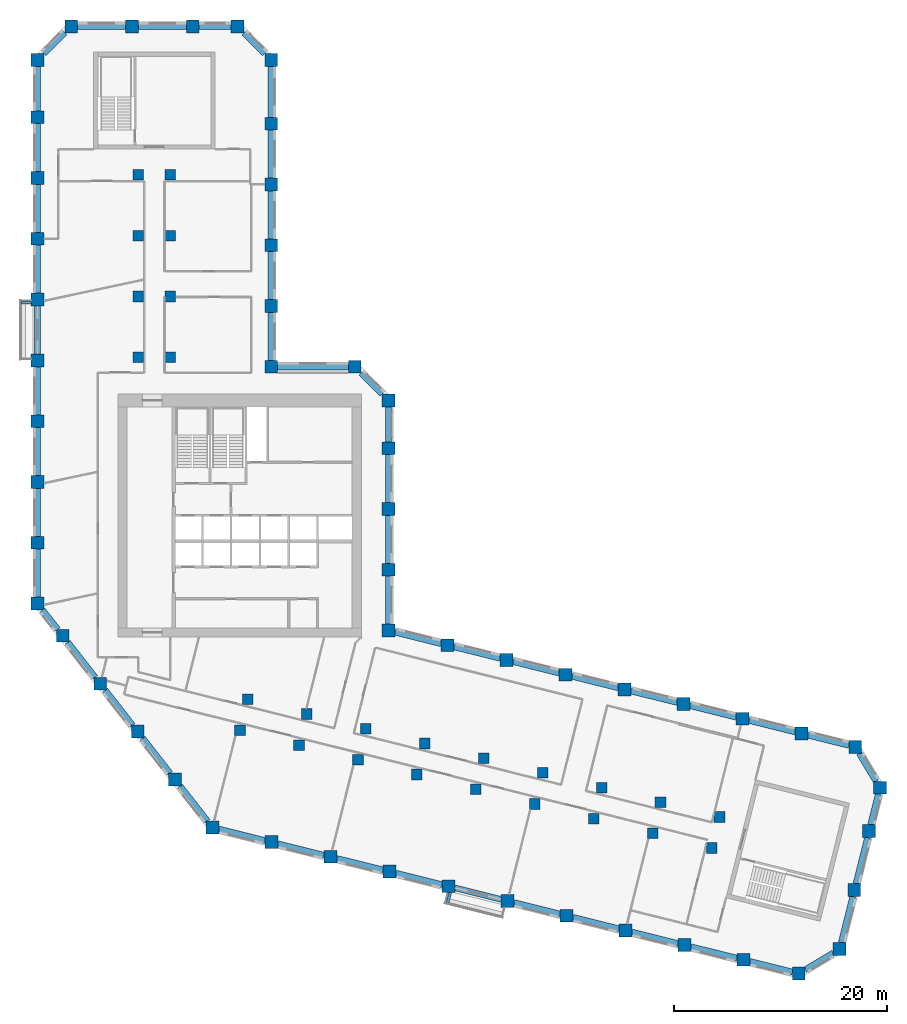
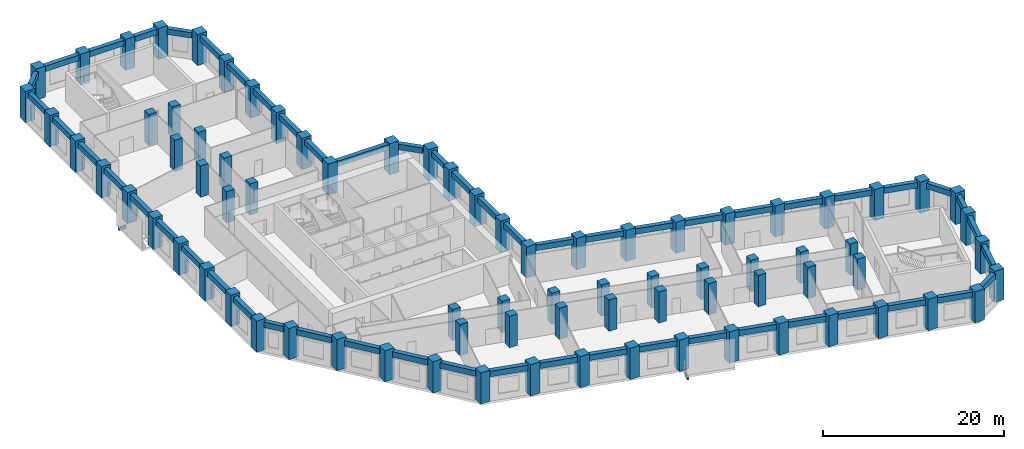
# One storey, part 1 of 10: 79 columns, 55 beams.
"""IFC4 building model written with IfcOpenShell, lengths in metres."""

from ifc_helpers import new_model, si_unit, direction, frame, origin, origin_2d, place, context, subcontext, project, spatial, rectangle, extrude, material, material_profile, profile_set, type_object, element, save


model = new_model("IFC4")

# Units and contexts
model_context = context("Model", 3, precision=1e-05, world=origin(), true_north=direction((0.0, 1.0)))
body_context = subcontext(model_context, "Body", "Model", "MODEL_VIEW")
ifc_project = project(units=[si_unit("LENGTHUNIT", "METRE"), si_unit("AREAUNIT", "SQUARE_METRE"), si_unit("VOLUMEUNIT", "CUBIC_METRE"), si_unit("PLANEANGLEUNIT", "RADIAN"), si_unit("MASSUNIT", "GRAM", prefix="KILO")], contexts=[model_context])

# Site, building, storey
site_placement = place(None, origin())
site = spatial("IfcSite", under=ifc_project, at=site_placement, CompositionType="ELEMENT")
building_placement = place(site_placement, origin())
building = spatial("IfcBuilding", under=site, at=building_placement, Name="Meshkara Civic Tower", CompositionType="ELEMENT")
storey_placement = place(building_placement, frame((0.0, 0.0, 182.39990234375)))
storey = spatial("IfcBuildingStorey", under=building, at=storey_placement, Name="L41", CompositionType="ELEMENT", Elevation=182.39990234375)

# Columns
ifc_material_1 = material(Name="Concrete C70", Category="concrete")
ifc_material_profile_1 = material_profile(ifc_material_1, rectangle(XDim=1.0, YDim=1.0, at=origin_2d()))
ifc_profile_set_1 = profile_set([ifc_material_profile_1], Name="Concrete C70")
column_type_1 = type_object("IfcColumnType", Name="Interior column RC 1000x1000 C70", PredefinedType="COLUMN", material=ifc_profile_set_1)
for number, where, z_axis, x_axis, name in (
    (1, (9.89990234375, 40.35009765625, 0.0), (0.0, 0.0, 1.0), (1.0, 0.0, 0.0), "Column SA1-04 L41"),
    (2, (9.89990234375, 46.050048828125, 0.0), (0.0, 0.0, 1.0), (1.0, 0.0, 0.0), "Column SA1-05 L41"),
    (3, (9.89990234375, 51.75, 0.0), (0.0, 0.0, 1.0), (1.0, 0.0, 0.0), "Column SA1-06 L41"),
    (4, (9.89990234375, 57.449951171875, 0.0), (0.0, 0.0, 1.0), (1.0, 0.0, 0.0), "Column SA1-07 L41"),
    (5, (12.89990234375, 40.35009765625, 0.0), (0.0, 0.0, 1.0), (1.0, 0.0, 0.0), "Column SA2-04 L41"),
    (6, (12.89990234375, 46.050048828125, 0.0), (0.0, 0.0, 1.0), (1.0, 0.0, 0.0), "Column SA2-05 L41"),
    (7, (12.89990234375, 51.75, 0.0), (0.0, 0.0, 1.0), (1.0, 0.0, 0.0), "Column SA2-06 L41"),
    (8, (12.89990234375, 57.449951171875, 0.0), (0.0, 0.0, 1.0), (1.0, 0.0, 0.0), "Column SA2-07 L41"),
    (9, (19.424072265625, 5.360107421875, 0.0), (0.0, 0.0, 1.0), (1.0, 0.0, 0.0), "Column SB1-00 L41"),
    (10, (24.9541015625, 3.98095703125, 0.0), (0.0, 0.0, 1.0), (1.0, 0.0, 0.0), "Column SB1-01 L41"),
    (11, (30.485107421875, 2.60205078125, 0.0), (0.0, 0.0, 1.0), (1.0, 0.0, 0.0), "Column SB1-02 L41"),
    (12, (36.01611328125, 1.222900390625, 0.0), (0.0, 0.0, 1.0), (1.0, 0.0, 0.0), "Column SB1-03 L41"),
    (13, (41.5458984375, -0.156005859375, 0.0), (0.0, 0.0, 1.0), (1.0, 0.0, 0.0), "Column SB1-04 L41"),
    (14, (47.076904296875, -1.534912109375, 0.0), (0.0, 0.0, 1.0), (1.0, 0.0, 0.0), "Column SB1-05 L41"),
    (15, (52.60791015625, -2.9140625, 0.0), (0.0, 0.0, 1.0), (1.0, 0.0, 0.0), "Column SB1-06 L41"),
    (16, (58.138916015625, -4.2919921875, 0.0), (0.0, 0.0, 1.0), (1.0, 0.0, 0.0), "Column SB1-07 L41"),
    (17, (63.6689453125, -5.6708984375, 0.0), (0.0, 0.0, 1.0), (1.0, 0.0, 0.0), "Column SB1-08 L41"),
    (18, (20.14892578125, 8.27099609375, 0.0), (0.0, 0.0, 1.0), (1.0, 0.0, 0.0), "Column SB2-00 L41"),
    (19, (25.679931640625, 6.89208984375, 0.0), (0.0, 0.0, 1.0), (1.0, 0.0, 0.0), "Column SB2-01 L41"),
    (20, (31.2109375, 5.512939453125, 0.0), (0.0, 0.0, 1.0), (1.0, 0.0, 0.0), "Column SB2-02 L41"),
    (21, (36.741943359375, 4.134033203125, 0.0), (0.0, 0.0, 1.0), (1.0, 0.0, 0.0), "Column SB2-03 L41"),
    (22, (42.27197265625, 2.7548828125, 0.0), (0.0, 0.0, 1.0), (1.0, 0.0, 0.0), "Column SB2-04 L41"),
    (23, (47.802978515625, 1.3759765625, 0.0), (0.0, 0.0, 1.0), (1.0, 0.0, 0.0), "Column SB2-05 L41"),
    (24, (53.333984375, -0.0029296875, 0.0), (0.0, 0.0, 1.0), (1.0, 0.0, 0.0), "Column SB2-06 L41"),
    (25, (58.864013671875, -1.382080078125, 0.0), (0.0, 0.0, 1.0), (1.0, 0.0, 0.0), "Column SB2-07 L41"),
    (26, (64.39501953125, -2.760986328125, 0.0), (0.0, 0.0, 1.0), (1.0, 0.0, 0.0), "Column SB2-08 L41"),
):
    element("IfcColumn", number, at=place(storey_placement, frame(where, z_axis=z_axis, x_axis=x_axis)), inside=storey, type_object=column_type_1, Name=name, PredefinedType="COLUMN", context=body_context, shape_type="SweptSolid", body=[
        extrude(rectangle(XDim=1.0, YDim=1.0, at=origin_2d()), origin(), (0.0, 0.0, 1.0), 4.2001953125),
    ])
ifc_material_2 = material(Name="Concrete C70", Category="concrete")
ifc_material_profile_2 = material_profile(ifc_material_2, rectangle(XDim=1.199951171875, YDim=1.199951171875, at=origin_2d()))
ifc_profile_set_2 = profile_set([ifc_material_profile_2], Name="Concrete C70")
column_type_2 = type_object("IfcColumnType", Name="Perimeter column RC 1200x1200 C70", PredefinedType="COLUMN", material=ifc_profile_set_2)
for number, where, z_axis, x_axis, name in (
    (27, (33.35009765625, 14.718994140625, 0.0), (0.0, 0.0, 1.0), (1.0, 0.0, 0.0), "Column HE00 L41"),
    (28, (33.35009765625, 20.4189453125, 0.0), (0.0, 0.0, 1.0), (1.0, 0.0, 0.0), "Column HE01 L41"),
    (29, (33.35009765625, 26.118896484375, 0.0), (0.0, 0.0, 1.0), (1.0, 0.0, 0.0), "Column HE02 L41"),
    (30, (33.35009765625, 31.819091796875, 0.0), (0.0, 0.0, 1.0), (1.0, 0.0, 0.0), "Column HE03 L41"),
    (31, (33.35009765625, 36.2939453125, 0.0), (0.0, 0.0, 1.0), (1.0, 0.0, 0.0), "Column HEE L41"),
    (32, (30.194091796875, 39.449951171875, 0.0), (0.0, 0.0, 1.0), (1.0, 0.0, 0.0), "Column HCeE L41"),
    (33, (22.35009765625, 39.449951171875, 0.0), (0.0, 0.0, 1.0), (1.0, 0.0, 0.0), "Column HN00 L41"),
    (34, (22.35009765625, 45.14990234375, 0.0), (0.0, 0.0, 1.0), (1.0, 0.0, 0.0), "Column AE01 L41"),
    (35, (22.35009765625, 50.85009765625, 0.0), (0.0, 0.0, 1.0), (1.0, 0.0, 0.0), "Column AE02 L41"),
    (36, (22.35009765625, 56.550048828125, 0.0), (0.0, 0.0, 1.0), (1.0, 0.0, 0.0), "Column AE03 L41"),
    (37, (22.35009765625, 62.25, 0.0), (0.0, 0.0, 1.0), (1.0, 0.0, 0.0), "Column AE04 L41"),
    (38, (22.35009765625, 68.214111328125, 0.0), (0.0, 0.0, 1.0), (1.0, 0.0, 0.0), "Column AEEP2 L41"),
    (39, (19.194091796875, 71.3701171875, 0.0), (0.0, 0.0, 1.0), (1.0, 0.0, 0.0), "Column ATiEP2 L41"),
    (40, (3.60595703125, 71.3701171875, 0.0), (0.0, 0.0, 1.0), (1.0, 0.0, 0.0), "Column AT00-P2 L41"),
    (41, (9.305908203125, 71.3701171875, 0.0), (0.0, 0.0, 1.0), (1.0, 0.0, 0.0), "Column AT01-P2 L41"),
    (42, (15.006103515625, 71.3701171875, 0.0), (0.0, 0.0, 1.0), (1.0, 0.0, 0.0), "Column AT02-P2 L41"),
    (43, (0.449951171875, 68.214111328125, 0.0), (0.0, 0.0, 1.0), (1.0, 0.0, 0.0), "Column ATo00-P2 L41"),
    (44, (0.449951171875, 17.2548828125, 0.0), (0.0, 0.0, 1.0), (1.0, 0.0, 0.0), "Column AW00 L41"),
    (45, (0.449951171875, 22.955078125, 0.0), (0.0, 0.0, 1.0), (1.0, 0.0, 0.0), "Column AW01 L41"),
    (46, (0.449951171875, 28.655029296875, 0.0), (0.0, 0.0, 1.0), (1.0, 0.0, 0.0), "Column AW02 L41"),
    (47, (0.449951171875, 34.35498046875, 0.0), (0.0, 0.0, 1.0), (1.0, 0.0, 0.0), "Column AW03 L41"),
    (48, (0.449951171875, 40.054931640625, 0.0), (0.0, 0.0, 1.0), (1.0, 0.0, 0.0), "Column AW04 L41"),
    (49, (0.449951171875, 45.7548828125, 0.0), (0.0, 0.0, 1.0), (1.0, 0.0, 0.0), "Column AW05 L41"),
    (50, (0.449951171875, 51.455078125, 0.0), (0.0, 0.0, 1.0), (1.0, 0.0, 0.0), "Column AW06 L41"),
    (51, (0.449951171875, 57.155029296875, 0.0), (0.0, 0.0, 1.0), (1.0, 0.0, 0.0), "Column AW07 L41"),
    (52, (0.449951171875, 62.85498046875, 0.0), (0.0, 0.0, 1.0), (1.0, 0.0, 0.0), "Column AW08 L41"),
    (53, (16.85107421875, -3.738037109375, 0.0), (0.0, 0.0, 1.0), (1.0, 0.0, 0.0), "Column BOW00 L41"),
    (54, (13.342041015625, 0.75390625, 0.0), (0.0, 0.0, 1.0), (1.0, 0.0, 0.0), "Column BOW01 L41"),
    (55, (9.8330078125, 5.2451171875, 0.0), (0.0, 0.0, 1.0), (1.0, 0.0, 0.0), "Column BOW02 L41"),
    (56, (6.322998046875, 9.737060546875, 0.0), (0.0, 0.0, 1.0), (1.0, 0.0, 0.0), "Column BOW03 L41"),
    (57, (2.81396484375, 14.22900390625, 0.0), (0.0, 0.0, 1.0), (1.0, 0.0, 0.0), "Column BOW04 L41"),
    (58, (22.382080078125, -5.116943359375, 0.0), (0.0, 0.0, 1.0), (1.0, 0.0, 0.0), "Column BS01 L41"),
    (59, (27.912109375, -6.49609375, 0.0), (0.0, 0.0, 1.0), (1.0, 0.0, 0.0), "Column BS02 L41"),
    (60, (33.443115234375, -7.875, 0.0), (0.0, 0.0, 1.0), (1.0, 0.0, 0.0), "Column BS03 L41"),
    (61, (38.97412109375, -9.2529296875, 0.0), (0.0, 0.0, 1.0), (1.0, 0.0, 0.0), "Column BS04-P1 L41"),
    (62, (44.5048828125, -10.632080078125, 0.0), (0.0, 0.0, 1.0), (1.0, 0.0, 0.0), "Column BS05 L41"),
    (63, (50.034912109375, -12.010986328125, 0.0), (0.0, 0.0, 1.0), (1.0, 0.0, 0.0), "Column BS06 L41"),
    (64, (55.56591796875, -13.389892578125, 0.0), (0.0, 0.0, 1.0), (1.0, 0.0, 0.0), "Column BS07 L41"),
    (65, (61.096923828125, -14.76904296875, 0.0), (0.0, 0.0, 1.0), (1.0, 0.0, 0.0), "Column BS08 L41"),
    (66, (66.626953125, -16.14794921875, 0.0), (0.0, 0.0, 1.0), (1.0, 0.0, 0.0), "Column BS09 L41"),
    (67, (71.826904296875, -17.444091796875, 0.0), (0.0, 0.0, 1.0), (1.0, 0.0, 0.0), "Column BSEP2 L41"),
    (68, (75.653076171875, -15.14501953125, 0.0), (0.0, 0.0, 1.0), (1.0, 0.0, 0.0), "Column BToEP2 L41"),
    (69, (77.031982421875, -9.614013671875, 0.0), (0.0, 0.0, 1.0), (1.0, 0.0, 0.0), "Column BT01-P2 L41"),
    (70, (78.410888671875, -4.083984375, 0.0), (0.0, 0.0, 1.0), (1.0, 0.0, 0.0), "Column BT02-P2 L41"),
    (71, (79.424072265625, -0.02099609375, 0.0), (0.0, 0.0, 1.0), (1.0, 0.0, 0.0), "Column BTEP2 L41"),
    (72, (77.125, 3.803955078125, 0.0), (0.0, 0.0, 1.0), (1.0, 0.0, 0.0), "Column BTi00-P2 L41"),
    (73, (38.881103515625, 13.340087890625, 0.0), (0.0, 0.0, 1.0), (1.0, 0.0, 0.0), "Column BN01 L41"),
    (74, (44.410888671875, 11.9609375, 0.0), (0.0, 0.0, 1.0), (1.0, 0.0, 0.0), "Column BN02 L41"),
    (75, (49.94189453125, 10.58203125, 0.0), (0.0, 0.0, 1.0), (1.0, 0.0, 0.0), "Column BN03 L41"),
    (76, (55.472900390625, 9.202880859375, 0.0), (0.0, 0.0, 1.0), (1.0, 0.0, 0.0), "Column BN04 L41"),
    (77, (61.0029296875, 7.823974609375, 0.0), (0.0, 0.0, 1.0), (1.0, 0.0, 0.0), "Column BN05 L41"),
    (78, (66.533935546875, 6.445068359375, 0.0), (0.0, 0.0, 1.0), (1.0, 0.0, 0.0), "Column BN06 L41"),
    (79, (72.06494140625, 5.06591796875, 0.0), (0.0, 0.0, 1.0), (1.0, 0.0, 0.0), "Column BN07 L41"),
):
    element("IfcColumn", number, at=place(storey_placement, frame(where, z_axis=z_axis, x_axis=x_axis)), inside=storey, type_object=column_type_2, Name=name, PredefinedType="COLUMN", context=body_context, shape_type="SweptSolid", body=[
        extrude(rectangle(XDim=1.199951171875, YDim=1.199951171875, at=origin_2d()), origin(), (0.0, 0.0, 1.0), 4.2001953125),
    ])

# Beams
ifc_material_3 = material(Name="Concrete C50", Category="concrete")
ifc_material_profile_3 = material_profile(ifc_material_3, rectangle(XDim=0.25, YDim=0.39990234375, at=origin_2d()))
ifc_profile_set_3 = profile_set([ifc_material_profile_3], Name="Concrete C50")
beam_type_1 = type_object("IfcBeamType", Name="Balcony bracket beam RC 250x400 C50", PredefinedType="BEAM", material=ifc_profile_set_3)
beam_1_placement = place(storey_placement, frame((-0.14501953125, 45.455078125, -0.5), z_axis=(-1.0, 0.0, 0.0), x_axis=(0.0, -1.0, 0.0)))
element("IfcBeam", 80, at=beam_1_placement, inside=storey, type_object=beam_type_1, Name="Balcony bracket beam", PredefinedType="BEAM", context=body_context, shape_type="SweptSolid", body=[
    extrude(rectangle(XDim=0.25, YDim=0.39990234375, at=origin_2d()), origin(), (0.0, 0.0, 1.0), 0.955078125),
])
beam_2_placement = place(storey_placement, frame((39.135009765625, -9.847900390625, -0.5), z_axis=(-0.242138377463, -0.970241725633, 0.0), x_axis=(0.970241725633, -0.242138377463, 0.0)))
element("IfcBeam", 81, at=beam_2_placement, inside=storey, type_object=beam_type_1, Name="Balcony bracket beam", PredefinedType="BEAM", context=body_context, shape_type="SweptSolid", body=[
    extrude(rectangle(XDim=0.25, YDim=0.39990234375, at=origin_2d()), origin(), (0.0, 0.0, 1.0), 1.01220703125),
])
ifc_material_4 = material(Name="Concrete C60", Category="concrete")
ifc_material_profile_4 = material_profile(ifc_material_4, rectangle(XDim=0.550048828125, YDim=0.75, at=origin_2d()))
ifc_profile_set_4 = profile_set([ifc_material_profile_4], Name="Concrete C60")
beam_type_2 = type_object("IfcBeamType", Name="Spandrel beam RC 550x750 C60", PredefinedType="BEAM", material=ifc_profile_set_4)
for number, where, z_axis, x_axis, name in (
    (82, (71.469970703125, 5.21435546875, 3.525146484375), (-0.970296390995, 0.241919229543, 0.0), (-0.241919229543, -0.970296390995, 0.0), "Spandrel beam BN06-BN07"),
    (83, (65.93896484375, 6.593505859375, 3.525146484375), (-0.970309199754, 0.241867850018, 0.0), (-0.241867850018, -0.970309199754, 0.0), "Spandrel beam BN05-BN06"),
):
    element("IfcBeam", number, at=place(storey_placement, frame(where, z_axis=z_axis, x_axis=x_axis)), inside=storey, type_object=beam_type_2, Name=name, PredefinedType="BEAM", context=body_context, shape_type="SweptSolid", body=[
        extrude(rectangle(XDim=0.550048828125, YDim=0.75, at=origin_2d()), origin(), (0.0, 0.0, 1.0), 4.4736328125),
    ])
beam_3_placement = place(storey_placement, frame((60.407958984375, 7.972412109375, 3.525146484375), z_axis=(-0.970283611566, 0.241970479865, 0.0), x_axis=(-0.241970479865, -0.970283611566, 0.0)))
element("IfcBeam", 84, at=beam_3_placement, inside=storey, type_object=beam_type_2, Name="Spandrel beam BN04-BN05", PredefinedType="BEAM", context=body_context, shape_type="SweptSolid", body=[
    extrude(rectangle(XDim=0.550048828125, YDim=0.75, at=origin_2d()), origin(), (0.0, 0.0, 1.0), 4.47265625),
])
for number, where, z_axis, x_axis, name in (
    (85, (54.8779296875, 9.351318359375, 3.525146484375), (-0.970296390995, 0.241919229543, 0.0), (-0.241919229543, -0.970296390995, 0.0), "Spandrel beam BN03-BN04"),
    (86, (49.346923828125, 10.73046875, 3.525146484375), (-0.970309199754, 0.241867850018, 0.0), (-0.241867850018, -0.970309199754, 0.0), "Spandrel beam BN02-BN03"),
):
    element("IfcBeam", number, at=place(storey_placement, frame(where, z_axis=z_axis, x_axis=x_axis)), inside=storey, type_object=beam_type_2, Name=name, PredefinedType="BEAM", context=body_context, shape_type="SweptSolid", body=[
        extrude(rectangle(XDim=0.550048828125, YDim=0.75, at=origin_2d()), origin(), (0.0, 0.0, 1.0), 4.4736328125),
    ])
beam_4_placement = place(storey_placement, frame((43.81591796875, 12.109375, 3.525146484375), z_axis=(-0.970283611566, 0.241970479865, 0.0), x_axis=(-0.241970479865, -0.970283611566, 0.0)))
element("IfcBeam", 87, at=beam_4_placement, inside=storey, type_object=beam_type_2, Name="Spandrel beam BN01-BN02", PredefinedType="BEAM", context=body_context, shape_type="SweptSolid", body=[
    extrude(rectangle(XDim=0.550048828125, YDim=0.75, at=origin_2d()), origin(), (0.0, 0.0, 1.0), 4.47265625),
])
beam_5_placement = place(storey_placement, frame((38.285888671875, 13.48828125, 3.525146484375), z_axis=(-0.970296390995, 0.241919229543, 0.0), x_axis=(-0.241919229543, -0.970296390995, 0.0)))
element("IfcBeam", 88, at=beam_5_placement, inside=storey, type_object=beam_type_2, Name="Spandrel beam BN01-HE00", PredefinedType="BEAM", context=body_context, shape_type="SweptSolid", body=[
    extrude(rectangle(XDim=0.550048828125, YDim=0.75, at=origin_2d()), origin(), (0.0, 0.0, 1.0), 4.4736328125),
])
for number, where, z_axis, x_axis, name in (
    (89, (33.35009765625, 15.31396484375, 3.525146484375), (0.0, 1.0, 0.0), (-1.0, 0.0, 0.0), "Spandrel beam HE00-HE01"),
    (90, (33.35009765625, 21.013916015625, 3.525146484375), (0.0, 1.0, 0.0), (-1.0, 0.0, 0.0), "Spandrel beam HE01-HE02"),
    (91, (33.35009765625, 26.714111328125, 3.525146484375), (0.0, 1.0, 0.0), (-1.0, 0.0, 0.0), "Spandrel beam HE02-HE03"),
):
    element("IfcBeam", number, at=place(storey_placement, frame(where, z_axis=z_axis, x_axis=x_axis)), inside=storey, type_object=beam_type_2, Name=name, PredefinedType="BEAM", context=body_context, shape_type="SweptSolid", body=[
        extrude(rectangle(XDim=0.550048828125, YDim=0.75, at=origin_2d()), origin(), (0.0, 0.0, 1.0), 4.510009765625),
    ])
beam_6_placement = place(storey_placement, frame((33.35009765625, 32.4140625, 3.525146484375), z_axis=(0.0, 1.0, 0.0), x_axis=(-1.0, 0.0, 0.0)))
element("IfcBeam", 92, at=beam_6_placement, inside=storey, type_object=beam_type_2, Name="Spandrel beam HE03-HEE", PredefinedType="BEAM", context=body_context, shape_type="SweptSolid", body=[
    extrude(rectangle(XDim=0.550048828125, YDim=0.75, at=origin_2d()), origin(), (0.0, 0.0, 1.0), 3.284912109375),
])
beam_7_placement = place(storey_placement, frame((32.75341796875, 36.890380859375, 3.525146484375), z_axis=(-0.707062808252, 0.707150751387, 0.0), x_axis=(-0.707150751387, -0.707062808252, 0.0)))
element("IfcBeam", 93, at=beam_7_placement, inside=storey, type_object=beam_type_2, Name="Spandrel beam HCeE-HEE", PredefinedType="BEAM", context=body_context, shape_type="SweptSolid", body=[
    extrude(rectangle(XDim=0.550048828125, YDim=0.75, at=origin_2d()), origin(), (0.0, 0.0, 1.0), 2.776123046875),
])
beam_8_placement = place(storey_placement, frame((29.59912109375, 39.449951171875, 3.525146484375), z_axis=(-1.0, 0.0, 0.0), x_axis=(0.0, -1.0, 0.0)))
element("IfcBeam", 94, at=beam_8_placement, inside=storey, type_object=beam_type_2, Name="Spandrel beam HCeE-HN00", PredefinedType="BEAM", context=body_context, shape_type="SweptSolid", body=[
    extrude(rectangle(XDim=0.550048828125, YDim=0.75, at=origin_2d()), origin(), (0.0, 0.0, 1.0), 6.654052734375),
])
beam_9_placement = place(storey_placement, frame((22.35009765625, 40.044921875, 3.525146484375), z_axis=(0.0, 1.0, 0.0), x_axis=(-1.0, 0.0, 0.0)))
element("IfcBeam", 95, at=beam_9_placement, inside=storey, type_object=beam_type_2, Name="Spandrel beam AE01-HN00", PredefinedType="BEAM", context=body_context, shape_type="SweptSolid", body=[
    extrude(rectangle(XDim=0.550048828125, YDim=0.75, at=origin_2d()), origin(), (0.0, 0.0, 1.0), 4.510009765625),
])
beam_10_placement = place(storey_placement, frame((22.35009765625, 45.7451171875, 3.525146484375), z_axis=(0.0, 1.0, 0.0), x_axis=(-1.0, 0.0, 0.0)))
element("IfcBeam", 96, at=beam_10_placement, inside=storey, type_object=beam_type_2, Name="Spandrel beam AE01-AE02", PredefinedType="BEAM", context=body_context, shape_type="SweptSolid", body=[
    extrude(rectangle(XDim=0.550048828125, YDim=0.75, at=origin_2d()), origin(), (0.0, 0.0, 1.0), 4.509765625),
])
for number, where, z_axis, x_axis, name in (
    (97, (22.35009765625, 51.445068359375, 3.525146484375), (0.0, 1.0, 0.0), (-1.0, 0.0, 0.0), "Spandrel beam AE02-AE03"),
    (98, (22.35009765625, 57.14501953125, 3.525146484375), (0.0, 1.0, 0.0), (-1.0, 0.0, 0.0), "Spandrel beam AE03-AE04"),
):
    element("IfcBeam", number, at=place(storey_placement, frame(where, z_axis=z_axis, x_axis=x_axis)), inside=storey, type_object=beam_type_2, Name=name, PredefinedType="BEAM", context=body_context, shape_type="SweptSolid", body=[
        extrude(rectangle(XDim=0.550048828125, YDim=0.75, at=origin_2d()), origin(), (0.0, 0.0, 1.0), 4.510009765625),
    ])
beam_11_placement = place(storey_placement, frame((22.35009765625, 62.844970703125, 3.525146484375), z_axis=(0.0, 1.0, 0.0), x_axis=(-1.0, 0.0, 0.0)))
element("IfcBeam", 99, at=beam_11_placement, inside=storey, type_object=beam_type_2, Name="Spandrel beam AE04-AEEP2", PredefinedType="BEAM", context=body_context, shape_type="SweptSolid", body=[
    extrude(rectangle(XDim=0.550048828125, YDim=0.75, at=origin_2d()), origin(), (0.0, 0.0, 1.0), 4.77392578125),
])
beam_12_placement = place(storey_placement, frame((21.75341796875, 68.810546875, 3.525146484375), z_axis=(-0.707106781187, 0.707106781187, 0.0), x_axis=(-0.707106781187, -0.707106781187, 0.0)))
element("IfcBeam", 100, at=beam_12_placement, inside=storey, type_object=beam_type_2, Name="Spandrel beam AEEP2-ATiEP2", PredefinedType="BEAM", context=body_context, shape_type="SweptSolid", body=[
    extrude(rectangle(XDim=0.550048828125, YDim=0.75, at=origin_2d()), origin(), (0.0, 0.0, 1.0), 2.77587890625),
])
beam_13_placement = place(storey_placement, frame((18.59912109375, 71.3701171875, 3.525146484375), z_axis=(-1.0, 0.0, 0.0), x_axis=(0.0, -1.0, 0.0)))
element("IfcBeam", 101, at=beam_13_placement, inside=storey, type_object=beam_type_2, Name="Spandrel beam AT02-P2-ATiEP2", PredefinedType="BEAM", context=body_context, shape_type="SweptSolid", body=[
    extrude(rectangle(XDim=0.550048828125, YDim=0.75, at=origin_2d()), origin(), (0.0, 0.0, 1.0), 2.998046875),
])
for number, where, z_axis, x_axis, name in (
    (102, (14.410888671875, 71.3701171875, 3.525146484375), (-1.0, 0.0, 0.0), (0.0, -1.0, 0.0), "Spandrel beam AT01-P2-AT02-P2"),
    (103, (8.7109375, 71.3701171875, 3.525146484375), (-1.0, 0.0, 0.0), (0.0, -1.0, 0.0), "Spandrel beam AT00-P2-AT01-P2"),
):
    element("IfcBeam", number, at=place(storey_placement, frame(where, z_axis=z_axis, x_axis=x_axis)), inside=storey, type_object=beam_type_2, Name=name, PredefinedType="BEAM", context=body_context, shape_type="SweptSolid", body=[
        extrude(rectangle(XDim=0.550048828125, YDim=0.75, at=origin_2d()), origin(), (0.0, 0.0, 1.0), 4.510009765625),
    ])
beam_14_placement = place(storey_placement, frame((3.009521484375, 70.7734375, 3.525146484375), z_axis=(-0.707150751387, -0.707062808252, 0.0), x_axis=(0.707062808252, -0.707150751387, 0.0)))
element("IfcBeam", 104, at=beam_14_placement, inside=storey, type_object=beam_type_2, Name="Spandrel beam AT00-P2-ATo00-P2", PredefinedType="BEAM", context=body_context, shape_type="SweptSolid", body=[
    extrude(rectangle(XDim=0.550048828125, YDim=0.75, at=origin_2d()), origin(), (0.0, 0.0, 1.0), 2.776123046875),
])
beam_15_placement = place(storey_placement, frame((0.449951171875, 67.618896484375, 3.525146484375), z_axis=(0.0, -1.0, 0.0), x_axis=(1.0, 0.0, 0.0)))
element("IfcBeam", 105, at=beam_15_placement, inside=storey, type_object=beam_type_2, Name="Spandrel beam ATo00-P2-AW08", PredefinedType="BEAM", context=body_context, shape_type="SweptSolid", body=[
    extrude(rectangle(XDim=0.550048828125, YDim=0.75, at=origin_2d()), origin(), (0.0, 0.0, 1.0), 4.1689453125),
])
for number, where, z_axis, x_axis, name in (
    (106, (0.449951171875, 62.260009765625, 3.525146484375), (0.0, -1.0, 0.0), (1.0, 0.0, 0.0), "Spandrel beam AW07-AW08"),
    (107, (0.449951171875, 56.56005859375, 3.525146484375), (0.0, -1.0, 0.0), (1.0, 0.0, 0.0), "Spandrel beam AW06-AW07"),
    (108, (0.449951171875, 50.860107421875, 3.525146484375), (0.0, -1.0, 0.0), (1.0, 0.0, 0.0), "Spandrel beam AW05-AW06"),
    (109, (0.449951171875, 45.159912109375, 3.525146484375), (0.0, -1.0, 0.0), (1.0, 0.0, 0.0), "Spandrel beam AW04-AW05"),
    (110, (0.449951171875, 39.4599609375, 3.525146484375), (0.0, -1.0, 0.0), (1.0, 0.0, 0.0), "Spandrel beam AW03-AW04"),
    (111, (0.449951171875, 33.760009765625, 3.525146484375), (0.0, -1.0, 0.0), (1.0, 0.0, 0.0), "Spandrel beam AW02-AW03"),
    (112, (0.449951171875, 28.06005859375, 3.525146484375), (0.0, -1.0, 0.0), (1.0, 0.0, 0.0), "Spandrel beam AW01-AW02"),
    (113, (0.449951171875, 22.360107421875, 3.525146484375), (0.0, -1.0, 0.0), (1.0, 0.0, 0.0), "Spandrel beam AW00-AW01"),
):
    element("IfcBeam", number, at=place(storey_placement, frame(where, z_axis=z_axis, x_axis=x_axis)), inside=storey, type_object=beam_type_2, Name=name, PredefinedType="BEAM", context=body_context, shape_type="SweptSolid", body=[
        extrude(rectangle(XDim=0.550048828125, YDim=0.75, at=origin_2d()), origin(), (0.0, 0.0, 1.0), 4.510009765625),
    ])
beam_16_placement = place(storey_placement, frame((0.915771484375, 16.658935546875, 3.525146484375), z_axis=(0.615646077935, -0.788022783124, 0.0), x_axis=(0.788022783124, 0.615646077935, 0.0)))
element("IfcBeam", 114, at=beam_16_placement, inside=storey, type_object=beam_type_2, Name="Spandrel beam AW00-BOW04", PredefinedType="BEAM", context=body_context, shape_type="SweptSolid", body=[
    extrude(rectangle(XDim=0.550048828125, YDim=0.75, at=origin_2d()), origin(), (0.0, 0.0, 1.0), 2.326904296875),
])
beam_17_placement = place(storey_placement, frame((3.279541015625, 13.6328125, 3.525146484375), z_axis=(0.615630464754, -0.788034980738, 0.0), x_axis=(0.788034980738, 0.615630464754, 0.0)))
element("IfcBeam", 115, at=beam_17_placement, inside=storey, type_object=beam_type_2, Name="Spandrel beam BOW03-BOW04", PredefinedType="BEAM", context=body_context, shape_type="SweptSolid", body=[
    extrude(rectangle(XDim=0.550048828125, YDim=0.75, at=origin_2d()), origin(), (0.0, 0.0, 1.0), 4.1875),
])
beam_18_placement = place(storey_placement, frame((6.788818359375, 9.140869140625, 3.525146484375), z_axis=(0.61570287025, -0.787978410596, 0.0), x_axis=(0.787978410596, 0.61570287025, 0.0)))
element("IfcBeam", 116, at=beam_18_placement, inside=storey, type_object=beam_type_2, Name="Spandrel beam BOW02-BOW03", PredefinedType="BEAM", context=body_context, shape_type="SweptSolid", body=[
    extrude(rectangle(XDim=0.550048828125, YDim=0.75, at=origin_2d()), origin(), (0.0, 0.0, 1.0), 4.187744140625),
])
beam_19_placement = place(storey_placement, frame((10.298583984375, 4.64892578125, 3.525146484375), z_axis=(0.615707413829, -0.787974860358, 0.0), x_axis=(0.787974860358, 0.615707413829, 0.0)))
element("IfcBeam", 117, at=beam_19_placement, inside=storey, type_object=beam_type_2, Name="Spandrel beam BOW01-BOW02", PredefinedType="BEAM", context=body_context, shape_type="SweptSolid", body=[
    extrude(rectangle(XDim=0.550048828125, YDim=0.75, at=origin_2d()), origin(), (0.0, 0.0, 1.0), 4.1865234375),
])
beam_20_placement = place(storey_placement, frame((13.8076171875, 0.157958984375, 3.525146484375), z_axis=(0.615630464754, -0.788034980738, 0.0), x_axis=(0.788034980738, 0.615630464754, 0.0)))
element("IfcBeam", 118, at=beam_20_placement, inside=storey, type_object=beam_type_2, Name="Spandrel beam BOW00-BOW01", PredefinedType="BEAM", context=body_context, shape_type="SweptSolid", body=[
    extrude(rectangle(XDim=0.550048828125, YDim=0.75, at=origin_2d()), origin(), (0.0, 0.0, 1.0), 4.1875),
])
beam_21_placement = place(storey_placement, frame((17.446044921875, -3.886474609375, 3.525146484375), z_axis=(0.970309199754, -0.241867850018, 0.0), x_axis=(0.241867850018, 0.970309199754, 0.0)))
element("IfcBeam", 119, at=beam_21_placement, inside=storey, type_object=beam_type_2, Name="Spandrel beam BOW00-BS01", PredefinedType="BEAM", context=body_context, shape_type="SweptSolid", body=[
    extrude(rectangle(XDim=0.550048828125, YDim=0.75, at=origin_2d()), origin(), (0.0, 0.0, 1.0), 4.4736328125),
])
beam_22_placement = place(storey_placement, frame((22.97705078125, -5.265380859375, 3.525146484375), z_axis=(0.970283611566, -0.241970479865, 0.0), x_axis=(0.241970479865, 0.970283611566, 0.0)))
element("IfcBeam", 120, at=beam_22_placement, inside=storey, type_object=beam_type_2, Name="Spandrel beam BS01-BS02", PredefinedType="BEAM", context=body_context, shape_type="SweptSolid", body=[
    extrude(rectangle(XDim=0.550048828125, YDim=0.75, at=origin_2d()), origin(), (0.0, 0.0, 1.0), 4.47265625),
])
for number, where, z_axis, x_axis, name in (
    (121, (28.507080078125, -6.644287109375, 3.525146484375), (0.970296390995, -0.241919229543, 0.0), (0.241919229543, 0.970296390995, 0.0), "Spandrel beam BS02-BS03"),
    (122, (34.0380859375, -8.023193359375, 3.525146484375), (0.970334810126, -0.241765084863, 0.0), (0.241765084863, 0.970334810126, 0.0), "Spandrel beam BS03-BS04-P1"),
    (123, (39.569091796875, -9.4013671875, 3.525146484375), (0.970296390995, -0.241919229543, 0.0), (0.241919229543, 0.970296390995, 0.0), "Spandrel beam BS04-P1-BS05"),
):
    element("IfcBeam", number, at=place(storey_placement, frame(where, z_axis=z_axis, x_axis=x_axis)), inside=storey, type_object=beam_type_2, Name=name, PredefinedType="BEAM", context=body_context, shape_type="SweptSolid", body=[
        extrude(rectangle(XDim=0.550048828125, YDim=0.75, at=origin_2d()), origin(), (0.0, 0.0, 1.0), 4.4736328125),
    ])
beam_23_placement = place(storey_placement, frame((45.10009765625, -10.780517578125, 3.525146484375), z_axis=(0.970296425585, -0.241919090807, 0.0), x_axis=(0.241919090807, 0.970296425585, 0.0)))
element("IfcBeam", 124, at=beam_23_placement, inside=storey, type_object=beam_type_2, Name="Spandrel beam BS05-BS06", PredefinedType="BEAM", context=body_context, shape_type="SweptSolid", body=[
    extrude(rectangle(XDim=0.550048828125, YDim=0.75, at=origin_2d()), origin(), (0.0, 0.0, 1.0), 4.47265625),
])
for number, where, z_axis, x_axis, name in (
    (125, (50.630126953125, -12.159423828125, 3.525146484375), (0.970296390995, -0.241919229543, 0.0), (0.241919229543, 0.970296390995, 0.0), "Spandrel beam BS06-BS07"),
    (126, (56.1611328125, -13.538330078125, 3.525146484375), (0.970296390995, -0.241919229543, 0.0), (0.241919229543, 0.970296390995, 0.0), "Spandrel beam BS07-BS08"),
):
    element("IfcBeam", number, at=place(storey_placement, frame(where, z_axis=z_axis, x_axis=x_axis)), inside=storey, type_object=beam_type_2, Name=name, PredefinedType="BEAM", context=body_context, shape_type="SweptSolid", body=[
        extrude(rectangle(XDim=0.550048828125, YDim=0.75, at=origin_2d()), origin(), (0.0, 0.0, 1.0), 4.4736328125),
    ])
beam_24_placement = place(storey_placement, frame((61.692138671875, -14.91748046875, 3.525146484375), z_axis=(0.970296425585, -0.241919090807, 0.0), x_axis=(0.241919090807, 0.970296425585, 0.0)))
element("IfcBeam", 127, at=beam_24_placement, inside=storey, type_object=beam_type_2, Name="Spandrel beam BS08-BS09", PredefinedType="BEAM", context=body_context, shape_type="SweptSolid", body=[
    extrude(rectangle(XDim=0.550048828125, YDim=0.75, at=origin_2d()), origin(), (0.0, 0.0, 1.0), 4.47265625),
])
beam_25_placement = place(storey_placement, frame((67.22216796875, -16.29638671875, 3.525146484375), z_axis=(0.970322944839, -0.241812701731, 0.0), x_axis=(0.241812701731, 0.970322944839, 0.0)))
element("IfcBeam", 128, at=beam_25_placement, inside=storey, type_object=beam_type_2, Name="Spandrel beam BS09-BSEP2", PredefinedType="BEAM", context=body_context, shape_type="SweptSolid", body=[
    extrude(rectangle(XDim=0.550048828125, YDim=0.75, at=origin_2d()), origin(), (0.0, 0.0, 1.0), 4.13232421875),
])
beam_26_placement = place(storey_placement, frame((72.422607421875, -17.0859375, 3.525146484375), z_axis=(0.85718440509, 0.515009607358, 0.0), x_axis=(-0.515009607358, 0.85718440509, 0.0)))
element("IfcBeam", 129, at=beam_26_placement, inside=storey, type_object=beam_type_2, Name="Spandrel beam BSEP2-BToEP2", PredefinedType="BEAM", context=body_context, shape_type="SweptSolid", body=[
    extrude(rectangle(XDim=0.550048828125, YDim=0.75, at=origin_2d()), origin(), (0.0, 0.0, 1.0), 3.07373046875),
])
beam_27_placement = place(storey_placement, frame((75.801513671875, -14.5498046875, 3.525146484375), z_axis=(0.241867850018, 0.970309199754, 0.0), x_axis=(-0.970309199754, 0.241867850018, 0.0)))
element("IfcBeam", 130, at=beam_27_placement, inside=storey, type_object=beam_type_2, Name="Spandrel beam BT01-P2-BToEP2", PredefinedType="BEAM", context=body_context, shape_type="SweptSolid", body=[
    extrude(rectangle(XDim=0.550048828125, YDim=0.75, at=origin_2d()), origin(), (0.0, 0.0, 1.0), 4.4736328125),
])
beam_28_placement = place(storey_placement, frame((77.180419921875, -9.018798828125, 3.525146484375), z_axis=(0.241983295733, 0.97028041544, 0.0), x_axis=(-0.97028041544, 0.241983295733, 0.0)))
element("IfcBeam", 131, at=beam_28_placement, inside=storey, type_object=beam_type_2, Name="Spandrel beam BT01-P2-BT02-P2", PredefinedType="BEAM", context=body_context, shape_type="SweptSolid", body=[
    extrude(rectangle(XDim=0.550048828125, YDim=0.75, at=origin_2d()), origin(), (0.0, 0.0, 1.0), 4.472412109375),
])
beam_29_placement = place(storey_placement, frame((78.559326171875, -3.489013671875, 3.525146484375), z_axis=(0.241934114249, 0.970292679743, 0.0), x_axis=(-0.970292679743, 0.241934114249, 0.0)))
element("IfcBeam", 132, at=beam_29_placement, inside=storey, type_object=beam_type_2, Name="Spandrel beam BT02-P2-BTEP2", PredefinedType="BEAM", context=body_context, shape_type="SweptSolid", body=[
    extrude(rectangle(XDim=0.550048828125, YDim=0.75, at=origin_2d()), origin(), (0.0, 0.0, 1.0), 2.960693359375),
])
beam_30_placement = place(storey_placement, frame((79.06591796875, 0.57470703125, 3.525146484375), z_axis=(-0.515126606613, 0.857114099265, 0.0), x_axis=(-0.857114099265, -0.515126606613, 0.0)))
element("IfcBeam", 133, at=beam_30_placement, inside=storey, type_object=beam_type_2, Name="Spandrel beam BTEP2-BTi00-P2", PredefinedType="BEAM", context=body_context, shape_type="SweptSolid", body=[
    extrude(rectangle(XDim=0.550048828125, YDim=0.75, at=origin_2d()), origin(), (0.0, 0.0, 1.0), 3.072509765625),
])
beam_31_placement = place(storey_placement, frame((76.52978515625, 3.952392578125, 3.525146484375), z_axis=(-0.970279182293, 0.241988240227, 0.0), x_axis=(-0.241988240227, -0.970279182293, 0.0)))
element("IfcBeam", 134, at=beam_31_placement, inside=storey, type_object=beam_type_2, Name="Spandrel beam BN07-BTi00-P2", PredefinedType="BEAM", context=body_context, shape_type="SweptSolid", body=[
    extrude(rectangle(XDim=0.550048828125, YDim=0.75, at=origin_2d()), origin(), (0.0, 0.0, 1.0), 3.98828125),
])

save(model, "model.ifc")
